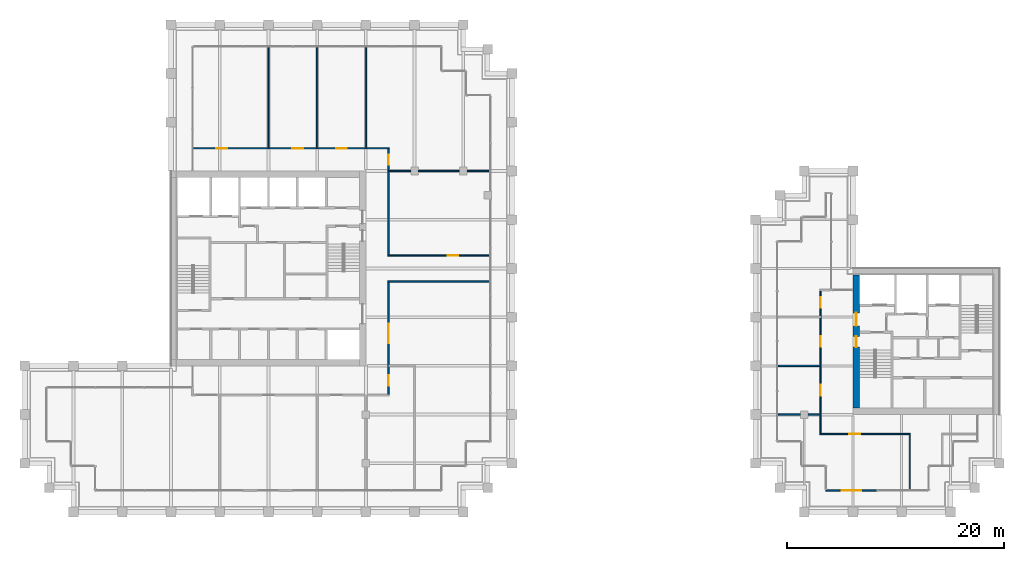
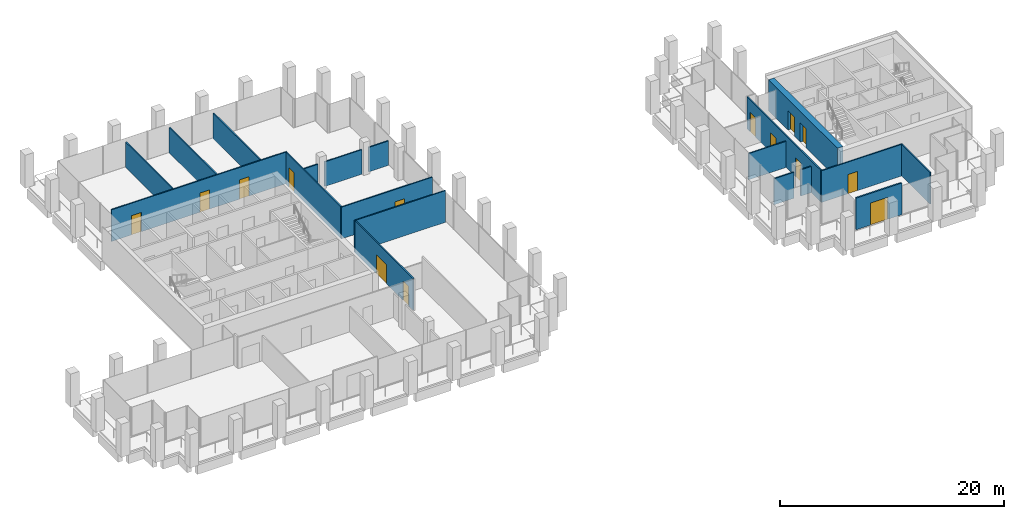
# One storey, part 37 of 40: 19 walls, 14 doors, 14 openings.
"""IFC4 building model written with IfcOpenShell, lengths in metres."""

from ifc_helpers import new_model, si_unit, direction, frame, frame_2d, origin, place, context, subcontext, project, spatial, rectangle, extrude, material, layer, layer_set, type_object, element, fill, save


model = new_model("IFC4")

# Units and contexts
model_context = context("Model", 3, precision=1e-05, world=origin(), true_north=direction((0.0, 1.0)))
body_context = subcontext(model_context, "Body", "Model", "MODEL_VIEW")
ifc_project = project(units=[si_unit("LENGTHUNIT", "METRE"), si_unit("AREAUNIT", "SQUARE_METRE"), si_unit("VOLUMEUNIT", "CUBIC_METRE"), si_unit("PLANEANGLEUNIT", "RADIAN"), si_unit("MASSUNIT", "GRAM", prefix="KILO")], contexts=[model_context])

# Site, building, storey
site_placement = place(None, origin())
site = spatial("IfcSite", under=ifc_project, at=site_placement, CompositionType="ELEMENT")
building_placement = place(site_placement, origin())
building = spatial("IfcBuilding", under=site, at=building_placement, Name="Altepetl Exchange Towers", CompositionType="ELEMENT")
storey_placement = place(building_placement, frame((0.0, 0.0, 165.39990234375)))
storey = spatial("IfcBuildingStorey", under=building, at=storey_placement, Name="L41", CompositionType="ELEMENT", Elevation=165.39990234375)

# Wall, openings, doors
ifc_material_1 = material(Name="Concrete C70/85", Category="concrete")
ifc_layer_1 = layer(ifc_material_1, 0.60009765625)
ifc_layer_set_1 = layer_set([ifc_layer_1], Name="Concrete C70/85")
wall_type_1 = type_object("IfcWallType", Name="Core wall 600 reinforced concrete", PredefinedType="SHEAR", material=ifc_layer_set_1)
wall_1_placement = place(storey_placement, frame((103.800048828125, 36.60009765625, 0.0), z_axis=(0.0, 0.0, 1.0), x_axis=(0.0, 1.0, 0.0)))
wall_1 = element("IfcWall", 1, at=wall_1_placement, inside=storey, type_object=wall_type_1, Name="wall:B:L41:K-coreW", PredefinedType="SHEAR", context=body_context, shape_type="SweptSolid", body=[
    extrude(rectangle(XDim=12.2998046875, YDim=0.60009765625, at=frame_2d((6.14990234375, 0.0))), origin(), (0.0, 0.0, 1.0), 3.35009765625),
])
opening_1_placement = place(wall_1_placement, frame((7.60009765625, 0.0, 0.0)))
opening_1 = element("IfcOpeningElement", 2, at=opening_1_placement, cuts=wall_1, Name="Opening L41.B60", PredefinedType="OPENING", context=body_context, shape_type="SweptSolid", body=[
    extrude(rectangle(XDim=1.199951171875, YDim=2.10009765625, at=frame_2d((0.60009765625, 1.050048828125))), frame((0.0, 0.31005859375, 0.0), z_axis=(0.0, -1.0, 0.0), x_axis=(1.0, 0.0, 0.0)), (0.0, 0.0, 1.0), 0.6201171875),
])
opening_2_placement = place(wall_1_placement, frame((5.625, 0.0, 0.0)))
opening_2 = element("IfcOpeningElement", 3, at=opening_2_placement, cuts=wall_1, Name="Opening L41.B62", PredefinedType="OPENING", context=body_context, shape_type="SweptSolid", body=[
    extrude(rectangle(XDim=1.0, YDim=2.10009765625, at=frame_2d((0.5, 1.050048828125))), frame((0.0, 0.31005859375, 0.0), z_axis=(0.0, -1.0, 0.0), x_axis=(1.0, 0.0, 0.0)), (0.0, 0.0, 1.0), 0.6201171875),
])
ifc_material_2 = material(Name="Steel and timber fire door", Category="steel")
door_type_1 = type_object("IfcDoorType", Name="Fire door 1000 x 2100 stair and lobby", OperationType="SINGLE_SWING_LEFT", PredefinedType="DOOR", material=ifc_material_2)
door_1_placement = place(opening_2_placement, frame((1.0, 0.0, 0.0), x_axis=(-1.0, 0.0, 0.0)))
door_1 = element("IfcDoor", 4, at=door_1_placement, inside=storey, type_object=door_type_1, Name="door:B:L41:K-dS1x", OperationType="SINGLE_SWING_RIGHT", OverallHeight=2.10009765625, OverallWidth=1.0, PredefinedType="DOOR", context=body_context, shape_type="SweptSolid", body=[
    extrude(rectangle(XDim=1.0, YDim=2.10009765625, at=frame_2d((0.5, 1.050048828125))), frame((0.0, 0.02490234375, 0.0), z_axis=(0.0, -1.0, 0.0), x_axis=(1.0, 0.0, 0.0)), (0.0, 0.0, 1.0), 0.050048828125),
])
fill(opening_2, door_1)
door_type_2 = type_object("IfcDoorType", Name="Fire door 1200 x 2100 lobby entry", OperationType="SINGLE_SWING_LEFT", PredefinedType="DOOR", material=ifc_material_2)
door_2_placement = place(opening_1_placement, frame((1.199951171875, 0.0, 0.0), x_axis=(-1.0, 0.0, 0.0)))
door_2 = element("IfcDoor", 5, at=door_2_placement, inside=storey, type_object=door_type_2, Name="door:B:L41:K-dLNW", OperationType="SINGLE_SWING_RIGHT", OverallHeight=2.10009765625, OverallWidth=1.199951171875, PredefinedType="DOOR", context=body_context, shape_type="SweptSolid", body=[
    extrude(rectangle(XDim=1.199951171875, YDim=2.10009765625, at=frame_2d((0.60009765625, 1.050048828125))), frame((0.0, 0.02490234375, 0.0), z_axis=(0.0, -1.0, 0.0), x_axis=(1.0, 0.0, 0.0)), (0.0, 0.0, 1.0), 0.050048828125),
])
fill(opening_1, door_2)

# Wall, opening, door
ifc_material_3 = material(Name="Aluminium composite cladding", Category="aluminium")
ifc_layer_2 = layer(ifc_material_3, 0.14990234375)
ifc_layer_set_2 = layer_set([ifc_layer_2], Name="Aluminium composite cladding")
wall_type_2 = type_object("IfcWallType", Name="Infill wall 150 aluminium panel", PredefinedType="SOLIDWALL", material=ifc_layer_set_2)
wall_2_placement = place(storey_placement, frame((101.0, 29.0, 0.0)))
wall_2 = element("IfcWall", 6, at=wall_2_placement, inside=storey, type_object=wall_type_2, Name="Loggia door bay wall", PredefinedType="SOLIDWALL", context=body_context, shape_type="SweptSolid", body=[
    extrude(rectangle(XDim=4.71240234375, YDim=0.14990234375, at=frame_2d((2.356201171875, 0.0))), origin(), (0.0, 0.0, 1.0), 3.4501953125),
])
opening_3_placement = place(wall_2_placement, frame((1.456298828125, 0.0, 0.0)))
opening_3 = element("IfcOpeningElement", 7, at=opening_3_placement, cuts=wall_2, Name="Opening L41.B90", PredefinedType="OPENING", context=body_context, shape_type="SweptSolid", body=[
    extrude(rectangle(XDim=1.800048828125, YDim=2.39990234375, at=frame_2d((0.89990234375, 1.199951171875))), frame((0.0, 0.0849609375, 0.0), z_axis=(0.0, -1.0, 0.0), x_axis=(1.0, 0.0, 0.0)), (0.0, 0.0, 1.0), 0.169921875),
])
ifc_material_4 = material(Name="Aluminium 6063-T6 and glass", Category="aluminium")
door_type_3 = type_object("IfcDoorType", Name="Glazed door pair 1800x2400", OperationType="DOUBLE_DOOR_DOUBLE_SWING", PredefinedType="NOTDEFINED", material=ifc_material_4)
door_3_placement = place(opening_3_placement, frame((1.800048828125, 0.0, 0.0), x_axis=(-1.0, 0.0, 0.0)))
door_3 = element("IfcDoor", 8, at=door_3_placement, inside=storey, type_object=door_type_3, Name="Loggia door", OperationType="DOUBLE_DOOR_DOUBLE_SWING", OverallHeight=2.39990234375, OverallWidth=1.800048828125, PredefinedType="NOTDEFINED", context=body_context, shape_type="SweptSolid", body=[
    extrude(rectangle(XDim=1.800048828125, YDim=2.39990234375, at=frame_2d((0.89990234375, 1.199951171875))), frame((0.0, 0.02490234375, 0.0), z_axis=(0.0, -1.0, 0.0), x_axis=(1.0, 0.0, 0.0)), (0.0, 0.0, 1.0), 0.050048828125),
])
fill(opening_3, door_3)

# Walls
ifc_material_5 = material(Name="Timber panels on aluminium track", Category="wood")
ifc_layer_3 = layer(ifc_material_5, 0.125)
ifc_layer_set_3 = layer_set([ifc_layer_3], Name="Timber panels on aluminium track")
wall_type_3 = type_object("IfcWallType", Name="Operable acoustic partition 125", PredefinedType="MOVABLE", material=ifc_layer_set_3)
for number, where, z_axis, x_axis, name in (
    (9, (49.5, 60.60009765625, 0.0), (0.0, 0.0, 1.0), (0.0, 1.0, 0.0), "wall:A:L41:P11"),
    (10, (54.0, 60.60009765625, 0.0), (0.0, 0.0, 1.0), (0.0, 1.0, 0.0), "wall:A:L41:P13"),
):
    element("IfcWall", number, at=place(storey_placement, frame(where, z_axis=z_axis, x_axis=x_axis)), inside=storey, type_object=wall_type_3, Name=name, PredefinedType="MOVABLE", context=body_context, shape_type="SweptSolid", body=[
        extrude(rectangle(XDim=9.2998046875, YDim=0.125, at=frame_2d((4.64990234375, 0.0))), origin(), (0.0, 0.0, 1.0), 2.76611328125),
    ])
ifc_material_6 = material(Name="Gypsum board on steel studs", Category="steel")
ifc_layer_4 = layer(ifc_material_6, 0.125)
ifc_layer_set_4 = layer_set([ifc_layer_4], Name="Gypsum board on steel studs")
wall_type_4 = type_object("IfcWallType", Name="Partition 125 gypsum board on steel studs", PredefinedType="PARTITIONING", material=ifc_layer_set_4)
wall_3_placement = place(storey_placement, frame((60.53759765625, 48.300048828125, 0.0)))
element("IfcWall", 11, at=wall_3_placement, inside=storey, type_object=wall_type_4, Name="wall:A:L41:P03", PredefinedType="PARTITIONING", context=body_context, shape_type="SweptSolid", body=[
    extrude(rectangle(XDim=9.3623046875, YDim=0.125, at=frame_2d((4.68115234375, 0.0))), origin(), (0.0, 0.0, 1.0), 3.4501953125),
])

# Wall, opening, door
wall_4_placement = place(storey_placement, frame((60.53759765625, 50.699951171875, 0.0)))
wall_4 = element("IfcWall", 12, at=wall_4_placement, inside=storey, type_object=wall_type_4, Name="wall:A:L41:P04", PredefinedType="PARTITIONING", context=body_context, shape_type="SweptSolid", body=[
    extrude(rectangle(XDim=9.3623046875, YDim=0.125, at=frame_2d((4.68115234375, 0.0))), origin(), (0.0, 0.0, 1.0), 3.4501953125),
])
opening_4_placement = place(wall_4_placement, frame((5.507568359375, 0.0, 0.0)))
opening_4 = element("IfcOpeningElement", 13, at=opening_4_placement, cuts=wall_4, Name="Opening L41.A06", PredefinedType="OPENING", context=body_context, shape_type="SweptSolid", body=[
    extrude(rectangle(XDim=1.0, YDim=2.10009765625, at=frame_2d((0.5, 1.050048828125))), frame((0.0, 0.072509765625, 0.0), z_axis=(0.0, -1.0, 0.0), x_axis=(1.0, 0.0, 0.0)), (0.0, 0.0, 1.0), 0.14501953125),
])
door_type_4 = type_object("IfcDoorType", Name="Fire door 1000 x 2100 single leaf", OperationType="SINGLE_SWING_LEFT", PredefinedType="DOOR", material=ifc_material_2)
door_4_placement = place(opening_4_placement, origin())
door_4 = element("IfcDoor", 14, at=door_4_placement, inside=storey, type_object=door_type_4, Name="door:A:L41:06", OperationType="SINGLE_SWING_LEFT", OverallHeight=2.10009765625, OverallWidth=1.0, PredefinedType="DOOR", context=body_context, shape_type="SweptSolid", body=[
    extrude(rectangle(XDim=1.0, YDim=2.10009765625, at=frame_2d((0.5, 1.050048828125))), frame((0.0, 0.02490234375, 0.0), z_axis=(0.0, -1.0, 0.0), x_axis=(1.0, 0.0, 0.0)), (0.0, 0.0, 1.0), 0.050048828125),
])
fill(opening_4, door_4)

# Walls
wall_5_placement = place(storey_placement, frame((60.60009765625, 58.5, 0.0)))
element("IfcWall", 15, at=wall_5_placement, inside=storey, type_object=wall_type_4, Name="wall:A:L41:P05", PredefinedType="PARTITIONING", context=body_context, shape_type="SweptSolid", body=[
    extrude(rectangle(XDim=2.0498046875, YDim=0.125, at=frame_2d((1.02490234375, 0.0))), origin(), (0.0, 0.0, 1.0), 2.676025390625),
])
wall_6_placement = place(storey_placement, frame((63.35009765625, 58.5, 0.0)))
element("IfcWall", 16, at=wall_6_placement, inside=storey, type_object=wall_type_4, Name="wall:A:L41:P06", PredefinedType="PARTITIONING", context=body_context, shape_type="SweptSolid", body=[
    extrude(rectangle(XDim=3.7998046875, YDim=0.125, at=frame_2d((1.89990234375, 0.0))), origin(), (0.0, 0.0, 1.0), 2.676025390625),
])
wall_7_placement = place(storey_placement, frame((67.85009765625, 58.5, 0.0)))
element("IfcWall", 17, at=wall_7_placement, inside=storey, type_object=wall_type_4, Name="wall:A:L41:P07", PredefinedType="PARTITIONING", context=body_context, shape_type="SweptSolid", body=[
    extrude(rectangle(XDim=2.0498046875, YDim=0.125, at=frame_2d((1.02490234375, 0.0))), origin(), (0.0, 0.0, 1.0), 2.676025390625),
])

# Wall, openings, doors
wall_8_placement = place(storey_placement, frame((42.60009765625, 60.60009765625, 0.0)))
wall_8 = element("IfcWall", 18, at=wall_8_placement, inside=storey, type_object=wall_type_4, Name="wall:A:L41:P08", PredefinedType="PARTITIONING", context=body_context, shape_type="SweptSolid", body=[
    extrude(rectangle(XDim=18.0625, YDim=0.125, at=frame_2d((9.03125, 0.0))), origin(), (0.0, 0.0, 1.0), 3.4501953125),
])
opening_5_placement = place(wall_8_placement, frame((2.074951171875, 0.0, 0.0)))
opening_5 = element("IfcOpeningElement", 19, at=opening_5_placement, cuts=wall_8, Name="Opening L41.A08", PredefinedType="OPENING", context=body_context, shape_type="SweptSolid", body=[
    extrude(rectangle(XDim=1.0, YDim=2.10009765625, at=frame_2d((0.5, 1.050048828125))), frame((0.0, 0.072509765625, 0.0), z_axis=(0.0, -1.0, 0.0), x_axis=(1.0, 0.0, 0.0)), (0.0, 0.0, 1.0), 0.14501953125),
])
opening_6_placement = place(wall_8_placement, frame((9.10498046875, 0.0, 0.0)))
opening_6 = element("IfcOpeningElement", 20, at=opening_6_placement, cuts=wall_8, Name="Opening L41.A09", PredefinedType="OPENING", context=body_context, shape_type="SweptSolid", body=[
    extrude(rectangle(XDim=1.0, YDim=2.10009765625, at=frame_2d((0.5, 1.050048828125))), frame((0.0, 0.072509765625, 0.0), z_axis=(0.0, -1.0, 0.0), x_axis=(1.0, 0.0, 0.0)), (0.0, 0.0, 1.0), 0.14501953125),
])
opening_7_placement = place(wall_8_placement, frame((13.14990234375, 0.0, 0.0)))
opening_7 = element("IfcOpeningElement", 21, at=opening_7_placement, cuts=wall_8, Name="Opening L41.A10", PredefinedType="OPENING", context=body_context, shape_type="SweptSolid", body=[
    extrude(rectangle(XDim=1.0, YDim=2.10009765625, at=frame_2d((0.5, 1.050048828125))), frame((0.0, 0.072509765625, 0.0), z_axis=(0.0, -1.0, 0.0), x_axis=(1.0, 0.0, 0.0)), (0.0, 0.0, 1.0), 0.14501953125),
])
door_5_placement = place(opening_5_placement, origin())
door_5 = element("IfcDoor", 22, at=door_5_placement, inside=storey, type_object=door_type_4, Name="door:A:L41:08", OperationType="SINGLE_SWING_RIGHT", OverallHeight=2.10009765625, OverallWidth=1.0, PredefinedType="DOOR", context=body_context, shape_type="SweptSolid", body=[
    extrude(rectangle(XDim=1.0, YDim=2.10009765625, at=frame_2d((0.5, 1.050048828125))), frame((0.0, 0.02490234375, 0.0), z_axis=(0.0, -1.0, 0.0), x_axis=(1.0, 0.0, 0.0)), (0.0, 0.0, 1.0), 0.050048828125),
])
fill(opening_5, door_5)
door_6_placement = place(opening_6_placement, origin())
door_6 = element("IfcDoor", 23, at=door_6_placement, inside=storey, type_object=door_type_4, Name="door:A:L41:09", OperationType="SINGLE_SWING_RIGHT", OverallHeight=2.10009765625, OverallWidth=1.0, PredefinedType="DOOR", context=body_context, shape_type="SweptSolid", body=[
    extrude(rectangle(XDim=1.0, YDim=2.10009765625, at=frame_2d((0.5, 1.050048828125))), frame((0.0, 0.02490234375, 0.0), z_axis=(0.0, -1.0, 0.0), x_axis=(1.0, 0.0, 0.0)), (0.0, 0.0, 1.0), 0.050048828125),
])
fill(opening_6, door_6)
door_7_placement = place(opening_7_placement, origin())
door_7 = element("IfcDoor", 24, at=door_7_placement, inside=storey, type_object=door_type_4, Name="door:A:L41:10", OperationType="SINGLE_SWING_LEFT", OverallHeight=2.10009765625, OverallWidth=1.0, PredefinedType="DOOR", context=body_context, shape_type="SweptSolid", body=[
    extrude(rectangle(XDim=1.0, YDim=2.10009765625, at=frame_2d((0.5, 1.050048828125))), frame((0.0, 0.02490234375, 0.0), z_axis=(0.0, -1.0, 0.0), x_axis=(1.0, 0.0, 0.0)), (0.0, 0.0, 1.0), 0.050048828125),
])
fill(opening_7, door_7)

# Wall
wall_9_placement = place(storey_placement, frame((58.5, 60.60009765625, 0.0), z_axis=(0.0, 0.0, 1.0), x_axis=(0.0, 1.0, 0.0)))
element("IfcWall", 25, at=wall_9_placement, inside=storey, type_object=wall_type_4, Name="wall:A:L41:P17", PredefinedType="PARTITIONING", context=body_context, shape_type="SweptSolid", body=[
    extrude(rectangle(XDim=9.2998046875, YDim=0.125, at=frame_2d((4.64990234375, 0.0))), origin(), (0.0, 0.0, 1.0), 2.76611328125),
])

# Wall, openings, doors
wall_10_placement = place(storey_placement, frame((60.60009765625, 37.862548828125, 0.0), z_axis=(0.0, 0.0, 1.0), x_axis=(0.0, 1.0, 0.0)))
wall_10 = element("IfcWall", 26, at=wall_10_placement, inside=storey, type_object=wall_type_4, Name="wall:A:L41:P18", PredefinedType="PARTITIONING", context=body_context, shape_type="SweptSolid", body=[
    extrude(rectangle(XDim=10.375, YDim=0.125, at=frame_2d((5.1875, 0.0))), origin(), (0.0, 0.0, 1.0), 3.4501953125),
])
opening_8_placement = place(wall_10_placement, frame((0.78759765625, 0.0, 0.0)))
opening_8 = element("IfcOpeningElement", 27, at=opening_8_placement, cuts=wall_10, Name="Opening L41.A04", PredefinedType="OPENING", context=body_context, shape_type="SweptSolid", body=[
    extrude(rectangle(XDim=1.0, YDim=2.10009765625, at=frame_2d((0.5, 1.050048828125))), frame((0.0, 0.072509765625, 0.0), z_axis=(0.0, -1.0, 0.0), x_axis=(1.0, 0.0, 0.0)), (0.0, 0.0, 1.0), 0.14501953125),
])
opening_9_placement = place(wall_10_placement, frame((4.74560546875, 0.0, 0.0)))
opening_9 = element("IfcOpeningElement", 28, at=opening_9_placement, cuts=wall_10, Name="Opening L41.A05", PredefinedType="OPENING", context=body_context, shape_type="SweptSolid", body=[
    extrude(rectangle(XDim=1.800048828125, YDim=2.10009765625, at=frame_2d((0.89990234375, 1.050048828125))), frame((0.0, 0.072509765625, 0.0), z_axis=(0.0, -1.0, 0.0), x_axis=(1.0, 0.0, 0.0)), (0.0, 0.0, 1.0), 0.14501953125),
])
door_8_placement = place(opening_8_placement, frame((1.0, 0.0, 0.0), x_axis=(-1.0, 0.0, 0.0)))
door_8 = element("IfcDoor", 29, at=door_8_placement, inside=storey, type_object=door_type_4, Name="door:A:L41:04", OperationType="SINGLE_SWING_RIGHT", OverallHeight=2.10009765625, OverallWidth=1.0, PredefinedType="DOOR", context=body_context, shape_type="SweptSolid", body=[
    extrude(rectangle(XDim=1.0, YDim=2.10009765625, at=frame_2d((0.5, 1.050048828125))), frame((0.0, 0.02490234375, 0.0), z_axis=(0.0, -1.0, 0.0), x_axis=(1.0, 0.0, 0.0)), (0.0, 0.0, 1.0), 0.050048828125),
])
fill(opening_8, door_8)
door_type_5 = type_object("IfcDoorType", Name="Fire door 1800 x 2100 double leaf", OperationType="DOUBLE_DOOR_SINGLE_SWING", PredefinedType="DOOR", material=ifc_material_2)
door_9_placement = place(opening_9_placement, frame((1.800048828125, 0.0, 0.0), x_axis=(-1.0, 0.0, 0.0)))
door_9 = element("IfcDoor", 30, at=door_9_placement, inside=storey, type_object=door_type_5, Name="door:A:L41:05", OperationType="DOUBLE_DOOR_SINGLE_SWING", OverallHeight=2.10009765625, OverallWidth=1.800048828125, PredefinedType="DOOR", context=body_context, shape_type="SweptSolid", body=[
    extrude(rectangle(XDim=1.800048828125, YDim=2.10009765625, at=frame_2d((0.89990234375, 1.050048828125))), frame((0.0, 0.02490234375, 0.0), z_axis=(0.0, -1.0, 0.0), x_axis=(1.0, 0.0, 0.0)), (0.0, 0.0, 1.0), 0.050048828125),
])
fill(opening_9, door_9)

# Wall, opening, door
wall_11_placement = place(storey_placement, frame((60.60009765625, 50.762451171875, 0.0), z_axis=(0.0, 0.0, 1.0), x_axis=(0.0, 1.0, 0.0)))
wall_11 = element("IfcWall", 31, at=wall_11_placement, inside=storey, type_object=wall_type_4, Name="wall:A:L41:P19", PredefinedType="PARTITIONING", context=body_context, shape_type="SweptSolid", body=[
    extrude(rectangle(XDim=9.775146484375, YDim=0.125, at=frame_2d((4.8876953125, 0.0))), origin(), (0.0, 0.0, 1.0), 3.4501953125),
])
opening_10_placement = place(wall_11_placement, frame((8.33740234375, 0.0, 0.0)))
opening_10 = element("IfcOpeningElement", 32, at=opening_10_placement, cuts=wall_11, Name="Opening L41.A07", PredefinedType="OPENING", context=body_context, shape_type="SweptSolid", body=[
    extrude(rectangle(XDim=0.89990234375, YDim=2.10009765625, at=frame_2d((0.449951171875, 1.050048828125))), frame((0.0, 0.072509765625, 0.0), z_axis=(0.0, -1.0, 0.0), x_axis=(1.0, 0.0, 0.0)), (0.0, 0.0, 1.0), 0.14501953125),
])
door_type_6 = type_object("IfcDoorType", Name="Fire door 900 x 2100 single leaf", OperationType="SINGLE_SWING_LEFT", PredefinedType="DOOR", material=ifc_material_2)
door_10_placement = place(opening_10_placement, frame((0.89990234375, 0.0, 0.0), x_axis=(-1.0, 0.0, 0.0)))
door_10 = element("IfcDoor", 33, at=door_10_placement, inside=storey, type_object=door_type_6, Name="door:A:L41:07", OperationType="SINGLE_SWING_LEFT", OverallHeight=2.10009765625, OverallWidth=0.89990234375, PredefinedType="DOOR", context=body_context, shape_type="SweptSolid", body=[
    extrude(rectangle(XDim=0.89990234375, YDim=2.10009765625, at=frame_2d((0.449951171875, 1.050048828125))), frame((0.0, 0.02490234375, 0.0), z_axis=(0.0, -1.0, 0.0), x_axis=(1.0, 0.0, 0.0)), (0.0, 0.0, 1.0), 0.050048828125),
])
fill(opening_10, door_10)

wall_12_placement = place(storey_placement, frame((100.4375, 34.199951171875, 0.0)))
wall_12 = element("IfcWall", 34, at=wall_12_placement, inside=storey, type_object=wall_type_4, Name="wall:B:L41:P01", PredefinedType="PARTITIONING", context=body_context, shape_type="SweptSolid", body=[
    extrude(rectangle(XDim=8.375, YDim=0.125, at=frame_2d((4.1875, 0.0))), origin(), (0.0, 0.0, 1.0), 3.4501953125),
])
opening_11_placement = place(wall_12_placement, frame((2.737548828125, 0.0, 0.0)))
opening_11 = element("IfcOpeningElement", 35, at=opening_11_placement, cuts=wall_12, Name="Opening L41.B02", PredefinedType="OPENING", context=body_context, shape_type="SweptSolid", body=[
    extrude(rectangle(XDim=1.0, YDim=2.10009765625, at=frame_2d((0.5, 1.050048828125))), frame((0.0, 0.072509765625, 0.0), z_axis=(0.0, -1.0, 0.0), x_axis=(1.0, 0.0, 0.0)), (0.0, 0.0, 1.0), 0.14501953125),
])
door_11_placement = place(opening_11_placement, frame((1.0, 0.0, 0.0), x_axis=(-1.0, 0.0, 0.0)))
door_11 = element("IfcDoor", 36, at=door_11_placement, inside=storey, type_object=door_type_4, Name="door:B:L41:02", OperationType="SINGLE_SWING_LEFT", OverallHeight=2.10009765625, OverallWidth=1.0, PredefinedType="DOOR", context=body_context, shape_type="SweptSolid", body=[
    extrude(rectangle(XDim=1.0, YDim=2.10009765625, at=frame_2d((0.5, 1.050048828125))), frame((0.0, 0.02490234375, 0.0), z_axis=(0.0, -1.0, 0.0), x_axis=(1.0, 0.0, 0.0)), (0.0, 0.0, 1.0), 0.050048828125),
])
fill(opening_11, door_11)

# Walls
wall_13_placement = place(storey_placement, frame((96.60009765625, 36.0, 0.0)))
element("IfcWall", 37, at=wall_13_placement, inside=storey, type_object=wall_type_4, Name="wall:B:L41:P03", PredefinedType="PARTITIONING", context=body_context, shape_type="SweptSolid", body=[
    extrude(rectangle(XDim=2.0498046875, YDim=0.125, at=frame_2d((1.02490234375, 0.0))), origin(), (0.0, 0.0, 1.0), 2.842041015625),
])
wall_14_placement = place(storey_placement, frame((99.35009765625, 36.0, 0.0)))
element("IfcWall", 38, at=wall_14_placement, inside=storey, type_object=wall_type_4, Name="wall:B:L41:P04", PredefinedType="PARTITIONING", context=body_context, shape_type="SweptSolid", body=[
    extrude(rectangle(XDim=1.14990234375, YDim=0.125, at=frame_2d((0.574951171875, 0.0))), origin(), (0.0, 0.0, 1.0), 2.842041015625),
])
wall_15_placement = place(storey_placement, frame((96.60009765625, 40.5, 0.0)))
element("IfcWall", 39, at=wall_15_placement, inside=storey, type_object=wall_type_4, Name="wall:B:L41:P05", PredefinedType="PARTITIONING", context=body_context, shape_type="SweptSolid", body=[
    extrude(rectangle(XDim=3.89990234375, YDim=0.125, at=frame_2d((1.949951171875, 0.0))), origin(), (0.0, 0.0, 1.0), 2.85107421875),
])

# Wall, openings, doors
wall_16_placement = place(storey_placement, frame((100.5, 34.262451171875, 0.0), z_axis=(0.0, 0.0, 1.0), x_axis=(0.0, 1.0, 0.0)))
wall_16 = element("IfcWall", 40, at=wall_16_placement, inside=storey, type_object=wall_type_4, Name="wall:B:L41:P08", PredefinedType="PARTITIONING", context=body_context, shape_type="SweptSolid", body=[
    extrude(rectangle(XDim=13.175048828125, YDim=0.125, at=frame_2d((6.58740234375, 0.0))), origin(), (0.0, 0.0, 1.0), 3.4501953125),
])
opening_12_placement = place(wall_16_placement, frame((3.487548828125, 0.0, 0.0)))
opening_12 = element("IfcOpeningElement", 41, at=opening_12_placement, cuts=wall_16, Name="Opening L41.B01", PredefinedType="OPENING", context=body_context, shape_type="SweptSolid", body=[
    extrude(rectangle(XDim=1.0, YDim=2.10009765625, at=frame_2d((0.5, 1.050048828125))), frame((0.0, 0.072509765625, 0.0), z_axis=(0.0, -1.0, 0.0), x_axis=(1.0, 0.0, 0.0)), (0.0, 0.0, 1.0), 0.14501953125),
])
opening_13_placement = place(wall_16_placement, frame((11.592529296875, 0.0, 0.0)))
opening_13 = element("IfcOpeningElement", 42, at=opening_13_placement, cuts=wall_16, Name="Opening L41.B03", PredefinedType="OPENING", context=body_context, shape_type="SweptSolid", body=[
    extrude(rectangle(XDim=1.0, YDim=2.10009765625, at=frame_2d((0.5, 1.050048828125))), frame((0.0, 0.072509765625, 0.0), z_axis=(0.0, -1.0, 0.0), x_axis=(1.0, 0.0, 0.0)), (0.0, 0.0, 1.0), 0.14501953125),
])
opening_14_placement = place(wall_16_placement, frame((7.987548828125, 0.0, 0.0)))
opening_14 = element("IfcOpeningElement", 43, at=opening_14_placement, cuts=wall_16, Name="Opening L41.B04", PredefinedType="OPENING", context=body_context, shape_type="SweptSolid", body=[
    extrude(rectangle(XDim=1.0, YDim=2.10009765625, at=frame_2d((0.5, 1.050048828125))), frame((0.0, 0.072509765625, 0.0), z_axis=(0.0, -1.0, 0.0), x_axis=(1.0, 0.0, 0.0)), (0.0, 0.0, 1.0), 0.14501953125),
])
door_12_placement = place(opening_12_placement, origin())
door_12 = element("IfcDoor", 44, at=door_12_placement, inside=storey, type_object=door_type_4, Name="door:B:L41:01", OperationType="SINGLE_SWING_RIGHT", OverallHeight=2.10009765625, OverallWidth=1.0, PredefinedType="DOOR", context=body_context, shape_type="SweptSolid", body=[
    extrude(rectangle(XDim=1.0, YDim=2.10009765625, at=frame_2d((0.5, 1.050048828125))), frame((0.0, 0.02490234375, 0.0), z_axis=(0.0, -1.0, 0.0), x_axis=(1.0, 0.0, 0.0)), (0.0, 0.0, 1.0), 0.050048828125),
])
fill(opening_12, door_12)
door_13_placement = place(opening_13_placement, origin())
door_13 = element("IfcDoor", 45, at=door_13_placement, inside=storey, type_object=door_type_4, Name="door:B:L41:03", OperationType="SINGLE_SWING_RIGHT", OverallHeight=2.10009765625, OverallWidth=1.0, PredefinedType="DOOR", context=body_context, shape_type="SweptSolid", body=[
    extrude(rectangle(XDim=1.0, YDim=2.10009765625, at=frame_2d((0.5, 1.050048828125))), frame((0.0, 0.02490234375, 0.0), z_axis=(0.0, -1.0, 0.0), x_axis=(1.0, 0.0, 0.0)), (0.0, 0.0, 1.0), 0.050048828125),
])
fill(opening_13, door_13)
door_14_placement = place(opening_14_placement, origin())
door_14 = element("IfcDoor", 46, at=door_14_placement, inside=storey, type_object=door_type_4, Name="door:B:L41:04", OperationType="SINGLE_SWING_LEFT", OverallHeight=2.10009765625, OverallWidth=1.0, PredefinedType="DOOR", context=body_context, shape_type="SweptSolid", body=[
    extrude(rectangle(XDim=1.0, YDim=2.10009765625, at=frame_2d((0.5, 1.050048828125))), frame((0.0, 0.02490234375, 0.0), z_axis=(0.0, -1.0, 0.0), x_axis=(1.0, 0.0, 0.0)), (0.0, 0.0, 1.0), 0.050048828125),
])
fill(opening_14, door_14)

# Wall
wall_17_placement = place(storey_placement, frame((108.75, 29.10009765625, 0.0), z_axis=(0.0, 0.0, 1.0), x_axis=(0.0, 1.0, 0.0)))
element("IfcWall", 47, at=wall_17_placement, inside=storey, type_object=wall_type_4, Name="wall:B:L41:P09", PredefinedType="PARTITIONING", context=body_context, shape_type="SweptSolid", body=[
    extrude(rectangle(XDim=5.037353515625, YDim=0.125, at=frame_2d((2.5185546875, 0.0))), origin(), (0.0, 0.0, 1.0), 3.4501953125),
])

save(model, "model.ifc")
